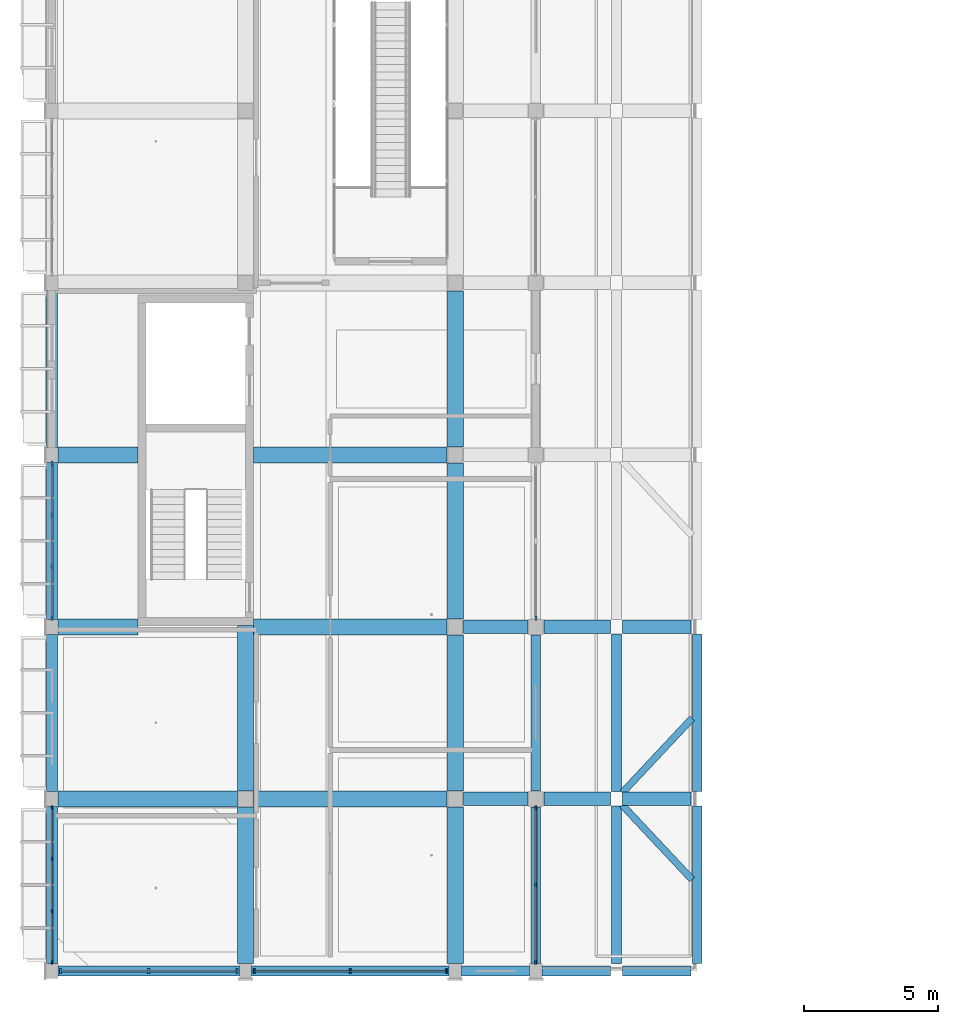
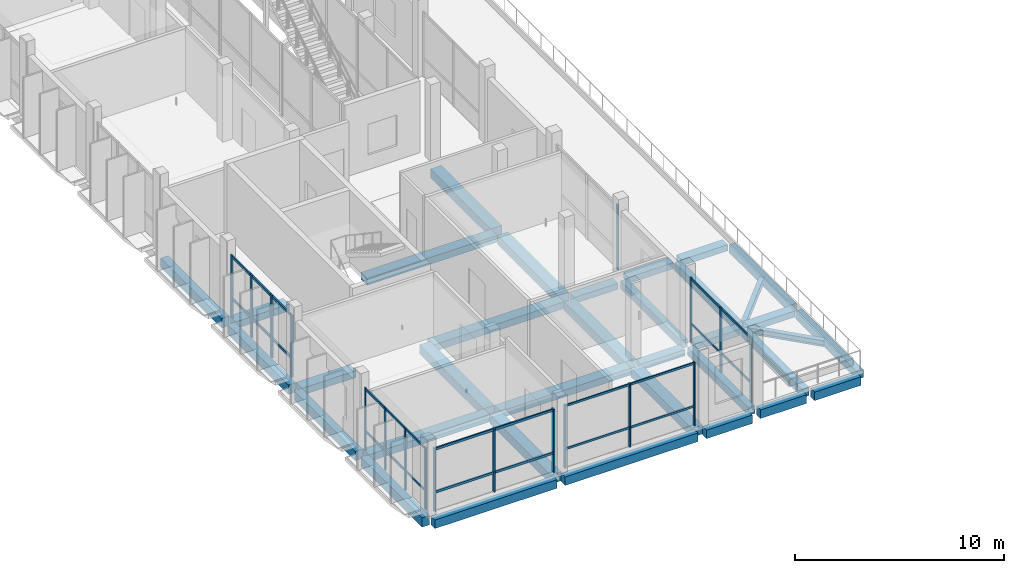
# One storey, part 18 of 95: 35 beams, 28 members, 6 elements without a shape of their own.
"""IFC4 building model written with IfcOpenShell, lengths in metres."""

import ifcopenshell
import ifcopenshell.guid

model = None  # the IFC model being written
_history = None  # IfcOwnerHistory: only IFC2X3 demands one
_inside = {}  # id of a spatial element -> (the spatial element, [elements in it])
_under = {}  # id of a project, library or spatial element -> (it, [spatial elements below it])
_declared = {}  # id of a project -> (the project, [libraries it declares])
_typed = {}  # id of a type object -> (the type object, [elements of that type])
_made_of = {}  # id of a material, layer set ... -> (it, [elements and type objects made of it])


def new_model(schema):
    """Start an empty IFC model of exactly this schema.

    Asked for "IFC4X3", IfcOpenShell would pick the latest addendum, in which some entities
    have other attributes; the version numbers below select the first issue.
    IFC2X3 requires an IfcOwnerHistory on every rooted entity: one is made here for all.
    """
    global model, _history
    if schema == "IFC4X3":
        model = ifcopenshell.file(schema_version=(4, 3, 0, 0))
    else:
        model = ifcopenshell.file(schema=schema)
    _inside.clear()
    _under.clear()
    _declared.clear()
    _typed.clear()
    _made_of.clear()
    _history = None
    if model.schema == "IFC2X3":
        org = make("IfcOrganization", Name="unknown")
        user = make(
            "IfcPersonAndOrganization",
            ThePerson=make("IfcPerson", FamilyName="unknown"),
            TheOrganization=org,
        )
        app = make(
            "IfcApplication",
            ApplicationDeveloper=org,
            Version="unknown",
            ApplicationFullName="unknown",
            ApplicationIdentifier="unknown",
        )
        _history = make(
            "IfcOwnerHistory",
            OwningUser=user,
            OwningApplication=app,
            ChangeAction="ADDED",
            CreationDate=0,
        )
    return model


def make(cls, **values):
    """One entity of the class cls with the attributes given. An attribute that is None is left unset."""
    return model.create_entity(
        cls, **{name: value for name, value in values.items() if value is not None}
    )


def rooted(cls, **values):
    """An entity with a GlobalId (a new one), such as an element, a storey or a relation."""
    return make(cls, GlobalId=ifcopenshell.guid.new(), OwnerHistory=_history, **values)


def si_unit(unit_type, name, prefix=None):
    """IfcSIUnit, for example si_unit("LENGTHUNIT", "METRE", prefix="MILLI")."""
    return make("IfcSIUnit", UnitType=unit_type, Prefix=prefix, Name=name)


def derived_unit(unit_type, elements):
    """IfcDerivedUnit: a product of units, each with its exponent."""
    return make(
        "IfcDerivedUnit",
        Elements=[
            make("IfcDerivedUnitElement", Unit=unit, Exponent=power)
            for unit, power in elements
        ],
        UnitType=unit_type,
    )


def assignment(units):
    """IfcUnitAssignment: the units of a project."""
    return None if units is None else make("IfcUnitAssignment", Units=units)


def point(xyz):
    """IfcCartesianPoint."""
    return None if xyz is None else make("IfcCartesianPoint", Coordinates=xyz)


def direction(xyz):
    """IfcDirection."""
    return None if xyz is None else make("IfcDirection", DirectionRatios=xyz)


def frame(location, z_axis=None, x_axis=None):
    """IfcAxis2Placement3D, a coordinate frame: its origin and axes. An axis left out is left unset."""
    return make(
        "IfcAxis2Placement3D",
        Location=point(location),
        Axis=direction(z_axis),
        RefDirection=direction(x_axis),
    )


def frame_2d(location, x_axis=None):
    """IfcAxis2Placement2D, a coordinate frame in the plane: its origin and x axis."""
    return make(
        "IfcAxis2Placement2D", Location=point(location), RefDirection=direction(x_axis)
    )


def origin():
    """The frame at (0, 0, 0) with its axes left unset."""
    return frame((0.0, 0.0, 0.0))


def origin_2d():
    """The frame at (0, 0) in the plane with its x axis left unset."""
    return frame_2d((0.0, 0.0))


def place(relative_to, where):
    """IfcLocalPlacement: puts the frame where relative to a parent placement (None: the world)."""
    return make(
        "IfcLocalPlacement", PlacementRelTo=relative_to, RelativePlacement=where
    )


def context(
    kind, dimensions, precision=None, world=None, true_north=None, identifier=None
):
    """IfcGeometricRepresentationContext, for example the 3D "Model" context."""
    return make(
        "IfcGeometricRepresentationContext",
        ContextIdentifier=identifier,
        ContextType=kind,
        CoordinateSpaceDimension=dimensions,
        Precision=precision,
        WorldCoordinateSystem=world,
        TrueNorth=true_north,
    )


def subcontext(parent, identifier, kind, view, scale=None):
    """IfcGeometricRepresentationSubContext, for example "Body" below "Model"."""
    return make(
        "IfcGeometricRepresentationSubContext",
        ContextIdentifier=identifier,
        ContextType=kind,
        ParentContext=parent,
        TargetScale=scale,
        TargetView=view,
    )


def project(units=None, contexts=None):
    """IfcProject with its units and contexts."""
    return rooted(
        "IfcProject",
        Name="project",
        RepresentationContexts=contexts,
        UnitsInContext=assignment(units),
    )


def spatial(cls, under=None, at=None, **own):
    """A site, building, storey or space (cls), placed at a placement, below another one or the project."""
    s = rooted(cls, ObjectPlacement=at, **own)
    if under is not None:
        _under.setdefault(under.id(), (under, []))[1].append(s)
    return s


def profile(cls, at=None, kind="AREA", **sizes):
    """A parametric profile (cls). Its sizes go by their IFC names, for example OverallWidth=200.0."""
    return make(cls, ProfileType=kind, Position=at, **sizes)


def rectangle(**sizes):
    """IfcRectangleProfileDef."""
    return profile("IfcRectangleProfileDef", **sizes)


def i_section(**sizes):
    """IfcIShapeProfileDef."""
    return profile("IfcIShapeProfileDef", **sizes)


def extrude(swept, where, along, depth):
    """IfcExtrudedAreaSolid: the profile swept, set in the frame where, extruded along a direction by depth."""
    return make(
        "IfcExtrudedAreaSolid",
        SweptArea=swept,
        Position=where,
        ExtrudedDirection=direction(along),
        Depth=depth,
    )


def shape(context_of_items, identifier, shape_type, items):
    """IfcShapeRepresentation: the items that make up one representation, for example the "Body"."""
    return make(
        "IfcShapeRepresentation",
        ContextOfItems=context_of_items,
        RepresentationIdentifier=identifier,
        RepresentationType=shape_type,
        Items=items,
    )


def material(Name=None, Category=None):
    """IfcMaterial."""
    return make("IfcMaterial", Name=Name, Category=Category)


def material_profile(
    of_material, cross_section, Name=None, Category=None, Priority=None
):
    """IfcMaterialProfile: a cross section and its material."""
    return make(
        "IfcMaterialProfile",
        Name=Name,
        Material=of_material,
        Profile=cross_section,
        Priority=Priority,
        Category=Category,
    )


def profile_set(profiles, Name=None, composite=None):
    """IfcMaterialProfileSet."""
    return make(
        "IfcMaterialProfileSet",
        Name=Name,
        MaterialProfiles=profiles,
        CompositeProfile=composite,
    )


def made_of(thing, what):
    """Note that an element or type object is made of a material, layer set ...; save() writes the relation."""
    if what is not None:
        _made_of.setdefault(what.id(), (what, []))[1].append(thing)
    return thing


def type_object(cls, material=None, **own):
    """A type object (cls), such as IfcWallType, which elements share."""
    return made_of(rooted(cls, **own), material)


def element(
    cls,
    number,
    at=None,
    inside=None,
    cuts=None,
    type_object=None,
    material=None,
    context=None,
    identifier="Body",
    shape_type=None,
    held_by="IfcProductDefinitionShape",
    body=None,
    shapes=None,
    **own,
):
    """One element of the class cls, such as IfcWall. Its Tag is "e" and its number.

    at: its placement. inside: the storey or other place that contains it. cuts: it is an
    opening in that element (IfcRelVoidsElement). A single representation is given by context,
    identifier, shape_type and body (its items); several are given by shapes. held_by: the class
    of the entity that holds the representations. save() writes the other relations.
    """
    e = rooted(cls, Tag="e%d" % number, ObjectPlacement=at, **own)
    if body is not None:
        shapes = [shape(context, identifier, shape_type, body)]
    if shapes is not None:
        e.Representation = make(held_by, Representations=shapes)
    if inside is not None:
        _inside.setdefault(inside.id(), (inside, []))[1].append(e)
    if cuts is not None:
        rooted(
            "IfcRelVoidsElement", RelatingBuildingElement=cuts, RelatedOpeningElement=e
        )
    if type_object is not None:
        _typed.setdefault(type_object.id(), (type_object, []))[1].append(e)
    return made_of(e, material)


def aggregate(whole, parts):
    """IfcRelAggregates: a whole, such as a stair, and the parts it consists of."""
    return rooted("IfcRelAggregates", RelatingObject=whole, RelatedObjects=parts)


def save(model, path):
    """Write the relations noted so far, then the file.

    IfcRelAggregates (storeys below a building ...), IfcRelContainedInSpatialStructure (elements
    in a storey), IfcRelDefinesByType, IfcRelAssociatesMaterial and IfcRelDeclares: one each for
    every whole, place, type object, material and project.
    """
    for whole, parts in _under.values():
        aggregate(whole, parts)
    for where, things in _inside.values():
        rooted(
            "IfcRelContainedInSpatialStructure",
            RelatedElements=things,
            RelatingStructure=where,
        )
    for kind, things in _typed.values():
        rooted("IfcRelDefinesByType", RelatedObjects=things, RelatingType=kind)
    for what, things in _made_of.values():
        rooted("IfcRelAssociatesMaterial", RelatedObjects=things, RelatingMaterial=what)
    for by, libraries in _declared.values():
        rooted("IfcRelDeclares", RelatingContext=by, RelatedDefinitions=libraries)
    model.write(path)


model = new_model("IFC4")

# Units and contexts
model_context = context("Model", 3, precision=1e-05, world=origin(), true_north=direction((0.0, 1.0)))
body_context = subcontext(model_context, "Body", "Model", "MODEL_VIEW")
ifc_project = project(units=[si_unit("LENGTHUNIT", "METRE"), si_unit("AREAUNIT", "SQUARE_METRE"), si_unit("VOLUMEUNIT", "CUBIC_METRE"), si_unit("PLANEANGLEUNIT", "RADIAN"), si_unit("MASSUNIT", "GRAM", prefix="KILO"), derived_unit("THERMALTRANSMITTANCEUNIT", [(si_unit("POWERUNIT", "WATT"), 1), (si_unit("LENGTHUNIT", "METRE"), -2), (si_unit("THERMODYNAMICTEMPERATUREUNIT", "KELVIN"), -1)])], contexts=[model_context])

# Site, building, storey
site_placement = place(None, origin())
site = spatial("IfcSite", under=ifc_project, at=site_placement, CompositionType="ELEMENT")
building_placement = place(site_placement, origin())
building = spatial("IfcBuilding", under=site, at=building_placement, Name="Braskholm Square Health Centre", CompositionType="ELEMENT")
storey_placement = place(building_placement, frame((0.0, 0.0, 4.800048828125)))
storey = spatial("IfcBuildingStorey", under=building, at=storey_placement, Name="L02", CompositionType="ELEMENT", Elevation=4.800048828125)

# Curtain wall, members
ifc_material_1 = material(Name="Low-E triple insulating glass (VLT 0.64)", Category="glass")
curtain_wall_type_1 = type_object("IfcCurtainWallType", Name="UnitisedCurtainWall6200x3650", PredefinedType="NOTDEFINED", material=ifc_material_1)
curtain_wall_1_placement = place(storey_placement, origin())
curtain_wall_1 = element("IfcCurtainWall", 1, at=curtain_wall_1_placement, inside=storey, type_object=curtain_wall_type_1, Name="West Outer unitised curtain wall CW-L02-0006", PredefinedType="NOTDEFINED")
ifc_material_2 = material(Name="Architectural bronze anodised aluminium", Category="aluminium")
ifc_material_profile_1 = material_profile(ifc_material_2, rectangle(XDim=0.06494140625, YDim=0.14990234375, at=origin_2d()), Name="ALU-65X150")
ifc_profile_set_1 = profile_set([ifc_material_profile_1], Name="Architectural bronze anodised aluminium")
member_type_1 = type_object("IfcMemberType", Name="CurtainWallMullion65x150", PredefinedType="MULLION", material=ifc_profile_set_1)
member_1_placement = place(storey_placement, frame((4.199951171875, 10.275146484375, 0.0), z_axis=(0.0, 0.0, 1.0), x_axis=(1.0, 0.0, 0.0)))
member_1 = element("IfcMember", 2, at=member_1_placement, type_object=member_type_1, Name="CW-L02-0006 vertical mullion 1", PredefinedType="MULLION", context=body_context, shape_type="SweptSolid", body=[
    extrude(rectangle(XDim=0.06494140625, YDim=0.14990234375, at=origin_2d()), origin(), (0.0, 0.0, 1.0), 3.64990234375),
])
member_2_placement = place(storey_placement, frame((4.199951171875, 8.3701171875, 0.0), z_axis=(0.0, 0.0, 1.0), x_axis=(1.0, 0.0, 0.0)))
member_2 = element("IfcMember", 3, at=member_2_placement, type_object=member_type_1, Name="CW-L02-0006 vertical mullion 2", PredefinedType="MULLION", context=body_context, shape_type="SweptSolid", body=[
    extrude(rectangle(XDim=0.06494140625, YDim=0.14990234375, at=origin_2d()), origin(), (0.0, 0.0, 1.0), 3.64990234375),
])
member_3_placement = place(storey_placement, frame((4.199951171875, 6.429931640625, 0.0), z_axis=(0.0, 0.0, 1.0), x_axis=(1.0, 0.0, 0.0)))
member_3 = element("IfcMember", 4, at=member_3_placement, type_object=member_type_1, Name="CW-L02-0006 vertical mullion 3", PredefinedType="MULLION", context=body_context, shape_type="SweptSolid", body=[
    extrude(rectangle(XDim=0.06494140625, YDim=0.14990234375, at=origin_2d()), origin(), (0.0, 0.0, 1.0), 3.64990234375),
])
member_4_placement = place(storey_placement, frame((4.199951171875, 4.52490234375, 0.0), z_axis=(0.0, 0.0, 1.0), x_axis=(1.0, 0.0, 0.0)))
member_4 = element("IfcMember", 5, at=member_4_placement, type_object=member_type_1, Name="CW-L02-0006 vertical mullion 4", PredefinedType="MULLION", context=body_context, shape_type="SweptSolid", body=[
    extrude(rectangle(XDim=0.06494140625, YDim=0.14990234375, at=origin_2d()), origin(), (0.0, 0.0, 1.0), 3.64990234375),
])

curtain_wall_type_2 = type_object("IfcCurtainWallType", Name="UnitisedCurtainWall6200x3800", PredefinedType="NOTDEFINED", material=ifc_material_1)
curtain_wall_2_placement = place(storey_placement, origin())
curtain_wall_2 = element("IfcCurtainWall", 6, at=curtain_wall_2_placement, inside=storey, type_object=curtain_wall_type_2, Name="West Valley unitised curtain wall CW-L02-0084", PredefinedType="NOTDEFINED")
member_5_placement = place(storey_placement, frame((22.199951171875, 4.52490234375, 0.0), z_axis=(0.0, 0.0, 1.0), x_axis=(1.0, 0.0, 0.0)))
member_5 = element("IfcMember", 7, at=member_5_placement, type_object=member_type_1, Name="CW-L02-0084 vertical mullion 1", PredefinedType="MULLION", context=body_context, shape_type="SweptSolid", body=[
    extrude(rectangle(XDim=0.06494140625, YDim=0.14990234375, at=origin_2d()), origin(), (0.0, 0.0, 1.0), 3.7900390625),
])
member_6_placement = place(storey_placement, frame((22.199951171875, 7.402587890625, 0.0), z_axis=(0.0, 0.0, 1.0), x_axis=(1.0, 0.0, 0.0)))
member_6 = element("IfcMember", 8, at=member_6_placement, type_object=member_type_1, Name="CW-L02-0084 vertical mullion 2", PredefinedType="MULLION", context=body_context, shape_type="SweptSolid", body=[
    extrude(rectangle(XDim=0.06494140625, YDim=0.14990234375, at=origin_2d()), origin(), (0.0, 0.0, 1.0), 3.7900390625),
])
member_7_placement = place(storey_placement, frame((22.199951171875, 10.280029296875, 0.0), z_axis=(0.0, 0.0, 1.0), x_axis=(1.0, 0.0, 0.0)))
member_7 = element("IfcMember", 9, at=member_7_placement, type_object=member_type_1, Name="CW-L02-0084 vertical mullion 3", PredefinedType="MULLION", context=body_context, shape_type="SweptSolid", body=[
    extrude(rectangle(XDim=0.06494140625, YDim=0.14990234375, at=origin_2d()), origin(), (0.0, 0.0, 1.0), 3.7900390625),
])

curtain_wall_3_placement = place(storey_placement, origin())
curtain_wall_3 = element("IfcCurtainWall", 10, at=curtain_wall_3_placement, inside=storey, type_object=curtain_wall_type_1, Name="Wing End unitised curtain wall CW-L02-0146", PredefinedType="NOTDEFINED")
member_8_placement = place(storey_placement, frame((11.723388671875, 4.199951171875, 0.0), z_axis=(0.0, 0.0, 1.0), x_axis=(1.0, 0.0, 0.0)))
member_8 = element("IfcMember", 11, at=member_8_placement, type_object=member_type_1, Name="CW-L02-0146 vertical mullion 1", PredefinedType="MULLION", context=body_context, shape_type="SweptSolid", body=[
    extrude(rectangle(XDim=0.06494140625, YDim=0.14990234375, at=origin_2d()), origin(), (0.0, 0.0, 1.0), 3.699951171875),
])
member_9_placement = place(storey_placement, frame((15.300048828125, 4.199951171875, 0.0), z_axis=(0.0, 0.0, 1.0), x_axis=(1.0, 0.0, 0.0)))
member_9 = element("IfcMember", 12, at=member_9_placement, type_object=member_type_1, Name="CW-L02-0146 vertical mullion 2", PredefinedType="MULLION", context=body_context, shape_type="SweptSolid", body=[
    extrude(rectangle(XDim=0.06494140625, YDim=0.14990234375, at=origin_2d()), origin(), (0.0, 0.0, 1.0), 3.699951171875),
])
member_10_placement = place(storey_placement, frame((18.876708984375, 4.199951171875, 0.0), z_axis=(0.0, 0.0, 1.0), x_axis=(1.0, 0.0, 0.0)))
member_10 = element("IfcMember", 13, at=member_10_placement, type_object=member_type_1, Name="CW-L02-0146 vertical mullion 3", PredefinedType="MULLION", context=body_context, shape_type="SweptSolid", body=[
    extrude(rectangle(XDim=0.06494140625, YDim=0.14990234375, at=origin_2d()), origin(), (0.0, 0.0, 1.0), 3.699951171875),
])

curtain_wall_4_placement = place(storey_placement, origin())
curtain_wall_4 = element("IfcCurtainWall", 14, at=curtain_wall_4_placement, inside=storey, type_object=curtain_wall_type_1, Name="West Outer unitised curtain wall CW-L02-0007", PredefinedType="NOTDEFINED")
ifc_material_profile_2 = material_profile(ifc_material_2, rectangle(XDim=0.074951171875, YDim=0.179931640625, at=origin_2d()), Name="ALU-75X180")
ifc_profile_set_2 = profile_set([ifc_material_profile_2], Name="Architectural bronze anodised aluminium")
member_type_2 = type_object("IfcMemberType", Name="CurtainWallMullion75x180", PredefinedType="MULLION", material=ifc_profile_set_2)
member_11_placement = place(storey_placement, frame((4.199951171875, 23.0751953125, 0.0), z_axis=(0.0, 0.0, 1.0), x_axis=(1.0, 0.0, 0.0)))
member_11 = element("IfcMember", 15, at=member_11_placement, type_object=member_type_2, Name="CW-L02-0007 vertical mullion 1", PredefinedType="MULLION", context=body_context, shape_type="SweptSolid", body=[
    extrude(rectangle(XDim=0.074951171875, YDim=0.179931640625, at=origin_2d()), origin(), (0.0, 0.0, 1.0), 3.64990234375),
])
member_12_placement = place(storey_placement, frame((4.199951171875, 21.169921875, 0.0), z_axis=(0.0, 0.0, 1.0), x_axis=(1.0, 0.0, 0.0)))
member_12 = element("IfcMember", 16, at=member_12_placement, type_object=member_type_2, Name="CW-L02-0007 vertical mullion 2", PredefinedType="MULLION", context=body_context, shape_type="SweptSolid", body=[
    extrude(rectangle(XDim=0.074951171875, YDim=0.179931640625, at=origin_2d()), origin(), (0.0, 0.0, 1.0), 3.64990234375),
])
member_13_placement = place(storey_placement, frame((4.199951171875, 19.22998046875, 0.0), z_axis=(0.0, 0.0, 1.0), x_axis=(1.0, 0.0, 0.0)))
member_13 = element("IfcMember", 17, at=member_13_placement, type_object=member_type_2, Name="CW-L02-0007 vertical mullion 3", PredefinedType="MULLION", context=body_context, shape_type="SweptSolid", body=[
    extrude(rectangle(XDim=0.074951171875, YDim=0.179931640625, at=origin_2d()), origin(), (0.0, 0.0, 1.0), 3.64990234375),
])
member_14_placement = place(storey_placement, frame((4.199951171875, 17.324951171875, 0.0), z_axis=(0.0, 0.0, 1.0), x_axis=(1.0, 0.0, 0.0)))
member_14 = element("IfcMember", 18, at=member_14_placement, type_object=member_type_2, Name="CW-L02-0007 vertical mullion 4", PredefinedType="MULLION", context=body_context, shape_type="SweptSolid", body=[
    extrude(rectangle(XDim=0.074951171875, YDim=0.179931640625, at=origin_2d()), origin(), (0.0, 0.0, 1.0), 3.64990234375),
])

# Curtain wall, member
curtain_wall_5_placement = place(storey_placement, origin())
curtain_wall_5 = element("IfcCurtainWall", 19, at=curtain_wall_5_placement, inside=storey, type_object=curtain_wall_type_2, Name="West Valley unitised curtain wall CW-L02-0085", PredefinedType="NOTDEFINED")
member_15_placement = place(storey_placement, frame((22.199951171875, 17.320068359375, 0.0), z_axis=(0.0, 0.0, 1.0), x_axis=(1.0, 0.0, 0.0)))
member_15 = element("IfcMember", 20, at=member_15_placement, type_object=member_type_2, Name="CW-L02-0085 vertical mullion 1", PredefinedType="MULLION", context=body_context, shape_type="SweptSolid", body=[
    extrude(rectangle(XDim=0.074951171875, YDim=0.179931640625, at=origin_2d()), origin(), (0.0, 0.0, 1.0), 3.7900390625),
])
aggregate(curtain_wall_5, [member_15])

# Curtain wall, members
curtain_wall_6_placement = place(storey_placement, origin())
curtain_wall_6 = element("IfcCurtainWall", 21, at=curtain_wall_6_placement, inside=storey, type_object=curtain_wall_type_1, Name="Wing End unitised curtain wall CW-L02-0145", PredefinedType="NOTDEFINED")
member_16_placement = place(storey_placement, frame((4.519775390625, 4.199951171875, 0.0), z_axis=(0.0, 0.0, 1.0), x_axis=(1.0, 0.0, 0.0)))
member_16 = element("IfcMember", 22, at=member_16_placement, type_object=member_type_2, Name="CW-L02-0145 vertical mullion 1", PredefinedType="MULLION", context=body_context, shape_type="SweptSolid", body=[
    extrude(rectangle(XDim=0.074951171875, YDim=0.179931640625, at=origin_2d()), origin(), (0.0, 0.0, 1.0), 3.699951171875),
])
member_17_placement = place(storey_placement, frame((7.800048828125, 4.199951171875, 0.0), z_axis=(0.0, 0.0, 1.0), x_axis=(1.0, 0.0, 0.0)))
member_17 = element("IfcMember", 23, at=member_17_placement, type_object=member_type_2, Name="CW-L02-0145 vertical mullion 2", PredefinedType="MULLION", context=body_context, shape_type="SweptSolid", body=[
    extrude(rectangle(XDim=0.074951171875, YDim=0.179931640625, at=origin_2d()), origin(), (0.0, 0.0, 1.0), 3.699951171875),
])
member_18_placement = place(storey_placement, frame((11.080078125, 4.199951171875, 0.0), z_axis=(0.0, 0.0, 1.0), x_axis=(1.0, 0.0, 0.0)))
member_18 = element("IfcMember", 24, at=member_18_placement, type_object=member_type_2, Name="CW-L02-0145 vertical mullion 3", PredefinedType="MULLION", context=body_context, shape_type="SweptSolid", body=[
    extrude(rectangle(XDim=0.074951171875, YDim=0.179931640625, at=origin_2d()), origin(), (0.0, 0.0, 1.0), 3.699951171875),
])

# Member
ifc_material_profile_3 = material_profile(ifc_material_2, rectangle(XDim=0.06494140625, YDim=0.1201171875, at=origin_2d()), Name="ALU-65X120")
ifc_profile_set_3 = profile_set([ifc_material_profile_3], Name="Architectural bronze anodised aluminium")
member_type_3 = type_object("IfcMemberType", Name="CurtainWallTransom65x120", PredefinedType="USERDEFINED", material=ifc_profile_set_3)
member_19_placement = place(storey_placement, frame((4.199951171875, 10.264892578125, 1.119873046875), z_axis=(0.0, -1.0, 0.0), x_axis=(1.0, 0.0, 0.0)))
member_19 = element("IfcMember", 25, at=member_19_placement, type_object=member_type_3, Name="CW-L02-0006 horizontal transom 1", ObjectType="TRANSOM", PredefinedType="USERDEFINED", context=body_context, shape_type="SweptSolid", body=[
    extrude(rectangle(XDim=0.06494140625, YDim=0.1201171875, at=origin_2d()), origin(), (0.0, 0.0, 1.0), 5.72998046875),
])

member_20_placement = place(storey_placement, frame((4.199951171875, 10.264892578125, 3.579833984375), z_axis=(0.0, -1.0, 0.0), x_axis=(1.0, 0.0, 0.0)))
member_20 = element("IfcMember", 26, at=member_20_placement, type_object=member_type_3, Name="CW-L02-0006 horizontal transom 2", ObjectType="TRANSOM", PredefinedType="USERDEFINED", context=body_context, shape_type="SweptSolid", body=[
    extrude(rectangle(XDim=0.06494140625, YDim=0.1201171875, at=origin_2d()), origin(), (0.0, 0.0, 1.0), 5.72998046875),
])

aggregate(curtain_wall_1, [member_1, member_2, member_3, member_4, member_19, member_20])

member_21_placement = place(storey_placement, frame((22.199951171875, 4.534912109375, 1.119873046875), z_axis=(0.0, 1.0, 0.0), x_axis=(-1.0, 0.0, 0.0)))
member_21 = element("IfcMember", 27, at=member_21_placement, type_object=member_type_3, Name="CW-L02-0084 horizontal transom 1", ObjectType="TRANSOM", PredefinedType="USERDEFINED", context=body_context, shape_type="SweptSolid", body=[
    extrude(rectangle(XDim=0.06494140625, YDim=0.1201171875, at=origin_2d()), origin(), (0.0, 0.0, 1.0), 5.735107421875),
])

member_22_placement = place(storey_placement, frame((22.199951171875, 4.534912109375, 3.719970703125), z_axis=(0.0, 1.0, 0.0), x_axis=(-1.0, 0.0, 0.0)))
member_22 = element("IfcMember", 28, at=member_22_placement, type_object=member_type_3, Name="CW-L02-0084 horizontal transom 2", ObjectType="TRANSOM", PredefinedType="USERDEFINED", context=body_context, shape_type="SweptSolid", body=[
    extrude(rectangle(XDim=0.06494140625, YDim=0.1201171875, at=origin_2d()), origin(), (0.0, 0.0, 1.0), 5.735107421875),
])

aggregate(curtain_wall_2, [member_5, member_6, member_7, member_21, member_22])

member_23_placement = place(storey_placement, frame((11.72509765625, 4.199951171875, 1.119873046875), z_axis=(1.0, 0.0, 0.0), x_axis=(0.0, 1.0, 0.0)))
member_23 = element("IfcMember", 29, at=member_23_placement, type_object=member_type_3, Name="CW-L02-0146 horizontal transom 1", ObjectType="TRANSOM", PredefinedType="USERDEFINED", context=body_context, shape_type="SweptSolid", body=[
    extrude(rectangle(XDim=0.06494140625, YDim=0.1201171875, at=origin_2d()), origin(), (0.0, 0.0, 1.0), 7.14990234375),
])

member_24_placement = place(storey_placement, frame((11.72509765625, 4.199951171875, 3.6298828125), z_axis=(1.0, 0.0, 0.0), x_axis=(0.0, 1.0, 0.0)))
member_24 = element("IfcMember", 30, at=member_24_placement, type_object=member_type_3, Name="CW-L02-0146 horizontal transom 2", ObjectType="TRANSOM", PredefinedType="USERDEFINED", context=body_context, shape_type="SweptSolid", body=[
    extrude(rectangle(XDim=0.06494140625, YDim=0.1201171875, at=origin_2d()), origin(), (0.0, 0.0, 1.0), 7.14990234375),
])

aggregate(curtain_wall_3, [member_8, member_9, member_10, member_23, member_24])

ifc_material_profile_4 = material_profile(ifc_material_2, rectangle(XDim=0.074951171875, YDim=0.139892578125, at=origin_2d()), Name="ALU-75X140")
ifc_profile_set_4 = profile_set([ifc_material_profile_4], Name="Architectural bronze anodised aluminium")
member_type_4 = type_object("IfcMemberType", Name="CurtainWallTransom75x140", PredefinedType="USERDEFINED", material=ifc_profile_set_4)
member_25_placement = place(storey_placement, frame((4.199951171875, 23.06494140625, 1.119873046875), z_axis=(0.0, -1.0, 0.0), x_axis=(1.0, 0.0, 0.0)))
member_25 = element("IfcMember", 31, at=member_25_placement, type_object=member_type_4, Name="CW-L02-0007 horizontal transom 1", ObjectType="TRANSOM", PredefinedType="USERDEFINED", context=body_context, shape_type="SweptSolid", body=[
    extrude(rectangle(XDim=0.074951171875, YDim=0.139892578125, at=origin_2d()), origin(), (0.0, 0.0, 1.0), 5.72998046875),
])

member_26_placement = place(storey_placement, frame((4.199951171875, 23.06494140625, 3.579833984375), z_axis=(0.0, -1.0, 0.0), x_axis=(1.0, 0.0, 0.0)))
member_26 = element("IfcMember", 32, at=member_26_placement, type_object=member_type_4, Name="CW-L02-0007 horizontal transom 2", ObjectType="TRANSOM", PredefinedType="USERDEFINED", context=body_context, shape_type="SweptSolid", body=[
    extrude(rectangle(XDim=0.074951171875, YDim=0.139892578125, at=origin_2d()), origin(), (0.0, 0.0, 1.0), 5.72998046875),
])

aggregate(curtain_wall_4, [member_11, member_12, member_13, member_14, member_25, member_26])

member_27_placement = place(storey_placement, frame((4.52490234375, 4.199951171875, 1.119873046875), z_axis=(1.0, 0.0, 0.0), x_axis=(0.0, 1.0, 0.0)))
member_27 = element("IfcMember", 33, at=member_27_placement, type_object=member_type_4, Name="CW-L02-0145 horizontal transom 1", ObjectType="TRANSOM", PredefinedType="USERDEFINED", context=body_context, shape_type="SweptSolid", body=[
    extrude(rectangle(XDim=0.074951171875, YDim=0.139892578125, at=origin_2d()), origin(), (0.0, 0.0, 1.0), 6.550048828125),
])

member_28_placement = place(storey_placement, frame((4.52490234375, 4.199951171875, 3.6298828125), z_axis=(1.0, 0.0, 0.0), x_axis=(0.0, 1.0, 0.0)))
member_28 = element("IfcMember", 34, at=member_28_placement, type_object=member_type_4, Name="CW-L02-0145 horizontal transom 2", ObjectType="TRANSOM", PredefinedType="USERDEFINED", context=body_context, shape_type="SweptSolid", body=[
    extrude(rectangle(XDim=0.074951171875, YDim=0.139892578125, at=origin_2d()), origin(), (0.0, 0.0, 1.0), 6.550048828125),
])

aggregate(curtain_wall_6, [member_16, member_17, member_18, member_27, member_28])

# Beams
ifc_material_3 = material(Name="Concrete C35/45 (f'c = 35 MPa)", Category="concrete")
ifc_material_profile_5 = material_profile(ifc_material_3, rectangle(XDim=0.5, YDim=0.360107421875, at=origin_2d()), Name="RCB-500X360")
ifc_profile_set_5 = profile_set([ifc_material_profile_5], Name="Concrete C35/45 (f'c = 35 MPa)")
beam_type_1 = type_object("IfcBeamType", Name="PrimaryBandBeam500x360", PredefinedType="BEAM", material=ifc_profile_set_5)
beam_1_placement = place(storey_placement, frame((19.5, 10.60009765625, -0.56005859375), z_axis=(1.0, 0.0, 0.0), x_axis=(0.0, 1.0, 0.0)))
element("IfcBeam", 35, at=beam_1_placement, inside=storey, type_object=beam_type_1, Name="Beam 3-4/B L02", PredefinedType="BEAM", context=body_context, shape_type="SweptSolid", body=[
    extrude(rectangle(XDim=0.5, YDim=0.360107421875, at=origin_2d()), origin(), (0.0, 0.0, 1.0), 2.39990234375),
])
beam_2_placement = place(storey_placement, frame((22.5, 10.60009765625, -0.429931640625), z_axis=(1.0, 0.0, 0.0), x_axis=(0.0, 1.0, 0.0)))
element("IfcBeam", 36, at=beam_2_placement, inside=storey, type_object=beam_type_1, Name="Beam 4-5/B L02", PredefinedType="BEAM", context=body_context, shape_type="SweptSolid", body=[
    extrude(rectangle(XDim=0.5, YDim=0.360107421875, at=origin_2d()), origin(), (0.0, 0.0, 1.0), 2.47998046875),
])
beam_3_placement = place(storey_placement, frame((25.419921875, 10.60009765625, -0.429931640625), z_axis=(1.0, 0.0, 0.0), x_axis=(0.0, 1.0, 0.0)))
element("IfcBeam", 37, at=beam_3_placement, inside=storey, type_object=beam_type_1, Name="Beam 5-6/B L02", PredefinedType="BEAM", context=body_context, shape_type="SweptSolid", body=[
    extrude(rectangle(XDim=0.5, YDim=0.360107421875, at=origin_2d()), origin(), (0.0, 0.0, 1.0), 2.56005859375),
])
beam_4_placement = place(storey_placement, frame((19.5, 17.0, -0.56005859375), z_axis=(1.0, 0.0, 0.0), x_axis=(0.0, 1.0, 0.0)))
element("IfcBeam", 38, at=beam_4_placement, inside=storey, type_object=beam_type_1, Name="Beam 3-4/C L02", PredefinedType="BEAM", context=body_context, shape_type="SweptSolid", body=[
    extrude(rectangle(XDim=0.5, YDim=0.360107421875, at=origin_2d()), origin(), (0.0, 0.0, 1.0), 2.39990234375),
])
beam_5_placement = place(storey_placement, frame((22.5, 17.0, -0.429931640625), z_axis=(1.0, 0.0, 0.0), x_axis=(0.0, 1.0, 0.0)))
element("IfcBeam", 39, at=beam_5_placement, inside=storey, type_object=beam_type_1, Name="Beam 4-5/C L02", PredefinedType="BEAM", context=body_context, shape_type="SweptSolid", body=[
    extrude(rectangle(XDim=0.5, YDim=0.360107421875, at=origin_2d()), origin(), (0.0, 0.0, 1.0), 2.47998046875),
])
beam_6_placement = place(storey_placement, frame((25.419921875, 17.0, -0.429931640625), z_axis=(1.0, 0.0, 0.0), x_axis=(0.0, 1.0, 0.0)))
element("IfcBeam", 40, at=beam_6_placement, inside=storey, type_object=beam_type_1, Name="Beam 5-6/C L02", PredefinedType="BEAM", context=body_context, shape_type="SweptSolid", body=[
    extrude(rectangle(XDim=0.5, YDim=0.360107421875, at=origin_2d()), origin(), (0.0, 0.0, 1.0), 2.56005859375),
])
ifc_material_profile_6 = material_profile(ifc_material_3, rectangle(XDim=0.60009765625, YDim=0.39990234375, at=origin_2d()), Name="RCB-600X400")
ifc_profile_set_6 = profile_set([ifc_material_profile_6], Name="Concrete C35/45 (f'c = 35 MPa)")
beam_type_2 = type_object("IfcBeamType", Name="PrimaryBandBeam600x400", PredefinedType="BEAM", material=ifc_profile_set_6)
beam_7_placement = place(storey_placement, frame((4.429931640625, 10.60009765625, -0.580078125), z_axis=(1.0, 0.0, 0.0), x_axis=(0.0, 1.0, 0.0)))
element("IfcBeam", 41, at=beam_7_placement, inside=storey, type_object=beam_type_2, Name="Beam 1-2/B L02", PredefinedType="BEAM", context=body_context, shape_type="SweptSolid", body=[
    extrude(rectangle(XDim=0.60009765625, YDim=0.39990234375, at=origin_2d()), origin(), (0.0, 0.0, 1.0), 6.670166015625),
])
beam_8_placement = place(storey_placement, frame((11.699951171875, 10.60009765625, -0.580078125), z_axis=(1.0, 0.0, 0.0), x_axis=(0.0, 1.0, 0.0)))
element("IfcBeam", 42, at=beam_8_placement, inside=storey, type_object=beam_type_2, Name="Beam 2-3/B L02", PredefinedType="BEAM", context=body_context, shape_type="SweptSolid", body=[
    extrude(rectangle(XDim=0.60009765625, YDim=0.39990234375, at=origin_2d()), origin(), (0.0, 0.0, 1.0), 7.199951171875),
])
beam_9_placement = place(storey_placement, frame((4.429931640625, 17.0, -0.580078125), z_axis=(1.0, 0.0, 0.0), x_axis=(0.0, 1.0, 0.0)))
element("IfcBeam", 43, at=beam_9_placement, inside=storey, type_object=beam_type_2, Name="Beam 1-3/C L02", PredefinedType="BEAM", context=body_context, shape_type="SweptSolid", body=[
    extrude(rectangle(XDim=0.60009765625, YDim=0.39990234375, at=origin_2d()), origin(), (0.0, 0.0, 1.0), 2.969970703125),
])
beam_10_placement = place(storey_placement, frame((11.699951171875, 17.0, -0.580078125), z_axis=(1.0, 0.0, 0.0), x_axis=(0.0, 1.0, 0.0)))
element("IfcBeam", 44, at=beam_10_placement, inside=storey, type_object=beam_type_2, Name="Beam 1-3/C L02", PredefinedType="BEAM", context=body_context, shape_type="SweptSolid", body=[
    extrude(rectangle(XDim=0.60009765625, YDim=0.39990234375, at=origin_2d()), origin(), (0.0, 0.0, 1.0), 7.199951171875),
])
beam_11_placement = place(storey_placement, frame((4.429931640625, 23.39990234375, -0.580078125), z_axis=(1.0, 0.0, 0.0), x_axis=(0.0, 1.0, 0.0)))
element("IfcBeam", 45, at=beam_11_placement, inside=storey, type_object=beam_type_2, Name="Beam 1-3/D L02", PredefinedType="BEAM", context=body_context, shape_type="SweptSolid", body=[
    extrude(rectangle(XDim=0.60009765625, YDim=0.39990234375, at=origin_2d()), origin(), (0.0, 0.0, 1.0), 2.969970703125),
])
beam_12_placement = place(storey_placement, frame((11.699951171875, 23.39990234375, -0.580078125), z_axis=(1.0, 0.0, 0.0), x_axis=(0.0, 1.0, 0.0)))
element("IfcBeam", 46, at=beam_12_placement, inside=storey, type_object=beam_type_2, Name="Beam 1-3/D L02", PredefinedType="BEAM", context=body_context, shape_type="SweptSolid", body=[
    extrude(rectangle(XDim=0.60009765625, YDim=0.39990234375, at=origin_2d()), origin(), (0.0, 0.0, 1.0), 7.199951171875),
])
ifc_material_4 = material(Name="Concrete C40/50 (f'c = 40 MPa)", Category="concrete")
ifc_material_profile_7 = material_profile(ifc_material_4, rectangle(XDim=0.60009765625, YDim=0.52001953125, at=origin_2d()), Name="RCB-600X520")
ifc_profile_set_7 = profile_set([ifc_material_profile_7], Name="Concrete C40/50 (f'c = 40 MPa)")
beam_type_3 = type_object("IfcBeamType", Name="PrimaryGirderSurgery600x520", PredefinedType="BEAM", material=ifc_profile_set_7)
beam_13_placement = place(storey_placement, frame((11.39990234375, 4.47998046875, -0.64013671875), z_axis=(0.0, 1.0, 0.0), x_axis=(-1.0, 0.0, 0.0)))
element("IfcBeam", 47, at=beam_13_placement, inside=storey, type_object=beam_type_3, Name="Beam 2/A-B L02", PredefinedType="BEAM", context=body_context, shape_type="SweptSolid", body=[
    extrude(rectangle(XDim=0.60009765625, YDim=0.52001953125, at=origin_2d()), origin(), (0.0, 0.0, 1.0), 5.820068359375),
])
beam_14_placement = place(storey_placement, frame((11.39990234375, 10.89990234375, -0.64013671875), z_axis=(0.0, 1.0, 0.0), x_axis=(-1.0, 0.0, 0.0)))
element("IfcBeam", 48, at=beam_14_placement, inside=storey, type_object=beam_type_3, Name="Beam 2/B-E L02", PredefinedType="BEAM", context=body_context, shape_type="SweptSolid", body=[
    extrude(rectangle(XDim=0.60009765625, YDim=0.52001953125, at=origin_2d()), origin(), (0.0, 0.0, 1.0), 6.150146484375),
])
beam_15_placement = place(storey_placement, frame((19.199951171875, 4.47998046875, -0.64013671875), z_axis=(0.0, 1.0, 0.0), x_axis=(-1.0, 0.0, 0.0)))
element("IfcBeam", 49, at=beam_15_placement, inside=storey, type_object=beam_type_3, Name="Beam 3/A-B L02", PredefinedType="BEAM", context=body_context, shape_type="SweptSolid", body=[
    extrude(rectangle(XDim=0.60009765625, YDim=0.52001953125, at=origin_2d()), origin(), (0.0, 0.0, 1.0), 5.820068359375),
])
for number, where, z_axis, x_axis, name in (
    (50, (19.199951171875, 10.89990234375, -0.64013671875), (0.0, 1.0, 0.0), (-1.0, 0.0, 0.0), "Beam 3/B-C L02"),
    (51, (19.199951171875, 17.300048828125, -0.64013671875), (0.0, 1.0, 0.0), (-1.0, 0.0, 0.0), "Beam 3/C-D L02"),
    (52, (19.199951171875, 23.699951171875, -0.64013671875), (0.0, 1.0, 0.0), (-1.0, 0.0, 0.0), "Beam 3/D-E L02"),
):
    element("IfcBeam", number, at=place(storey_placement, frame(where, z_axis=z_axis, x_axis=x_axis)), inside=storey, type_object=beam_type_3, Name=name, PredefinedType="BEAM", context=body_context, shape_type="SweptSolid", body=[
        extrude(rectangle(XDim=0.60009765625, YDim=0.52001953125, at=origin_2d()), origin(), (0.0, 0.0, 1.0), 5.800048828125),
    ])
ifc_material_5 = material(Name="Precast concrete C40/50 architectural white", Category="concrete")
ifc_material_profile_8 = material_profile(ifc_material_5, rectangle(XDim=0.3798828125, YDim=0.5, at=origin_2d()), Name="RCB-380X500")
ifc_profile_set_8 = profile_set([ifc_material_profile_8], Name="Precast concrete C40/50 architectural white")
beam_type_4 = type_object("IfcBeamType", Name="SpandrelPrecastEdge380x500", PredefinedType="SPANDREL", material=ifc_profile_set_8)
beam_16_placement = place(storey_placement, frame((4.429931640625, 4.199951171875, -0.630126953125), z_axis=(1.0, 0.0, 0.0), x_axis=(0.0, 1.0, 0.0)))
element("IfcBeam", 53, at=beam_16_placement, inside=storey, type_object=beam_type_4, Name="Beam 1-2/A L02", PredefinedType="SPANDREL", context=body_context, shape_type="SweptSolid", body=[
    extrude(rectangle(XDim=0.3798828125, YDim=0.5, at=origin_2d()), origin(), (0.0, 0.0, 1.0), 6.739990234375),
])
beam_17_placement = place(storey_placement, frame((11.6298828125, 4.199951171875, -0.630126953125), z_axis=(1.0, 0.0, 0.0), x_axis=(0.0, 1.0, 0.0)))
element("IfcBeam", 54, at=beam_17_placement, inside=storey, type_object=beam_type_4, Name="Beam 2-3/A L02", PredefinedType="SPANDREL", context=body_context, shape_type="SweptSolid", body=[
    extrude(rectangle(XDim=0.3798828125, YDim=0.5, at=origin_2d()), origin(), (0.0, 0.0, 1.0), 7.340087890625),
])
beam_18_placement = place(storey_placement, frame((19.429931640625, 4.199951171875, -0.630126953125), z_axis=(1.0, 0.0, 0.0), x_axis=(0.0, 1.0, 0.0)))
element("IfcBeam", 55, at=beam_18_placement, inside=storey, type_object=beam_type_4, Name="Beam 3-4/A L02", PredefinedType="SPANDREL", context=body_context, shape_type="SweptSolid", body=[
    extrude(rectangle(XDim=0.3798828125, YDim=0.5, at=origin_2d()), origin(), (0.0, 0.0, 1.0), 2.5400390625),
])
beam_19_placement = place(storey_placement, frame((22.429931640625, 4.199951171875, -0.5), z_axis=(1.0, 0.0, 0.0), x_axis=(0.0, 1.0, 0.0)))
element("IfcBeam", 56, at=beam_19_placement, inside=storey, type_object=beam_type_4, Name="Beam 4-5/A L02", PredefinedType="SPANDREL", context=body_context, shape_type="SweptSolid", body=[
    extrude(rectangle(XDim=0.3798828125, YDim=0.5, at=origin_2d()), origin(), (0.0, 0.0, 1.0), 2.550048828125),
])
beam_20_placement = place(storey_placement, frame((25.419921875, 4.199951171875, -0.5), z_axis=(1.0, 0.0, 0.0), x_axis=(0.0, 1.0, 0.0)))
element("IfcBeam", 57, at=beam_20_placement, inside=storey, type_object=beam_type_4, Name="Beam 5-6/A L02", PredefinedType="SPANDREL", context=body_context, shape_type="SweptSolid", body=[
    extrude(rectangle(XDim=0.3798828125, YDim=0.5, at=origin_2d()), origin(), (0.0, 0.0, 1.0), 2.56005859375),
])
ifc_material_profile_9 = material_profile(ifc_material_5, rectangle(XDim=0.419921875, YDim=0.550048828125, at=origin_2d()), Name="RCB-420X550")
ifc_profile_set_9 = profile_set([ifc_material_profile_9], Name="Precast concrete C40/50 architectural white")
beam_type_5 = type_object("IfcBeamType", Name="SpandrelPrecastLedge420x550", PredefinedType="SPANDREL", material=ifc_profile_set_9)
for number, where, z_axis, x_axis, name in (
    (58, (4.199951171875, 4.47998046875, -0.655029296875), (0.0, 1.0, 0.0), (-1.0, 0.0, 0.0), "Beam 1/A-B L02"),
    (59, (4.199951171875, 10.8798828125, -0.655029296875), (0.0, 1.0, 0.0), (-1.0, 0.0, 0.0), "Beam 1/B-C L02"),
    (60, (4.199951171875, 17.280029296875, -0.655029296875), (0.0, 1.0, 0.0), (-1.0, 0.0, 0.0), "Beam 1/C-D L02"),
    (61, (4.199951171875, 23.679931640625, -0.655029296875), (0.0, 1.0, 0.0), (-1.0, 0.0, 0.0), "Beam 1/D-E L02"),
):
    element("IfcBeam", number, at=place(storey_placement, frame(where, z_axis=z_axis, x_axis=x_axis)), inside=storey, type_object=beam_type_5, Name=name, PredefinedType="SPANDREL", context=body_context, shape_type="SweptSolid", body=[
        extrude(rectangle(XDim=0.419921875, YDim=0.550048828125, at=origin_2d()), origin(), (0.0, 0.0, 1.0), 5.840087890625),
    ])
ifc_material_profile_10 = material_profile(ifc_material_5, rectangle(XDim=0.360107421875, YDim=0.4599609375, at=origin_2d()), Name="RCB-360X460")
ifc_profile_set_10 = profile_set([ifc_material_profile_10], Name="Precast concrete C40/50 architectural white")
beam_type_6 = type_object("IfcBeamType", Name="SpandrelTerraceEdge360x460", PredefinedType="SPANDREL", material=ifc_profile_set_10)
beam_21_placement = place(storey_placement, frame((22.199951171875, 4.47998046875, -0.47998046875), z_axis=(0.0, 1.0, 0.0), x_axis=(-1.0, 0.0, 0.0)))
element("IfcBeam", 62, at=beam_21_placement, inside=storey, type_object=beam_type_6, Name="Beam 4/A-B L02", PredefinedType="SPANDREL", context=body_context, shape_type="SweptSolid", body=[
    extrude(rectangle(XDim=0.360107421875, YDim=0.4599609375, at=origin_2d()), origin(), (0.0, 0.0, 1.0), 5.820068359375),
])
beam_22_placement = place(storey_placement, frame((22.199951171875, 10.89990234375, -0.47998046875), z_axis=(0.0, 1.0, 0.0), x_axis=(-1.0, 0.0, 0.0)))
element("IfcBeam", 63, at=beam_22_placement, inside=storey, type_object=beam_type_6, Name="Beam 4/B-C L02", PredefinedType="SPANDREL", context=body_context, shape_type="SweptSolid", body=[
    extrude(rectangle(XDim=0.360107421875, YDim=0.4599609375, at=origin_2d()), origin(), (0.0, 0.0, 1.0), 5.800048828125),
])
beam_23_placement = place(storey_placement, frame((25.199951171875, 4.469970703125, -0.47998046875), z_axis=(0.0, 1.0, 0.0), x_axis=(-1.0, 0.0, 0.0)))
element("IfcBeam", 64, at=beam_23_placement, inside=storey, type_object=beam_type_6, Name="Beam 5/A-B L02", PredefinedType="SPANDREL", context=body_context, shape_type="SweptSolid", body=[
    extrude(rectangle(XDim=0.360107421875, YDim=0.4599609375, at=origin_2d()), origin(), (0.0, 0.0, 1.0), 5.860107421875),
])
beam_24_placement = place(storey_placement, frame((25.199951171875, 10.8701171875, -0.47998046875), z_axis=(0.0, 1.0, 0.0), x_axis=(-1.0, 0.0, 0.0)))
element("IfcBeam", 65, at=beam_24_placement, inside=storey, type_object=beam_type_6, Name="Beam 5/B-C L02", PredefinedType="SPANDREL", context=body_context, shape_type="SweptSolid", body=[
    extrude(rectangle(XDim=0.360107421875, YDim=0.4599609375, at=origin_2d()), origin(), (0.0, 0.0, 1.0), 5.85986328125),
])
beam_25_placement = place(storey_placement, frame((28.199951171875, 4.469970703125, -0.47998046875), z_axis=(0.0, 1.0, 0.0), x_axis=(-1.0, 0.0, 0.0)))
element("IfcBeam", 66, at=beam_25_placement, inside=storey, type_object=beam_type_6, Name="Beam 6/A-B L02", PredefinedType="SPANDREL", context=body_context, shape_type="SweptSolid", body=[
    extrude(rectangle(XDim=0.360107421875, YDim=0.4599609375, at=origin_2d()), origin(), (0.0, 0.0, 1.0), 5.860107421875),
])
beam_26_placement = place(storey_placement, frame((28.199951171875, 10.8701171875, -0.47998046875), z_axis=(0.0, 1.0, 0.0), x_axis=(-1.0, 0.0, 0.0)))
element("IfcBeam", 67, at=beam_26_placement, inside=storey, type_object=beam_type_6, Name="Beam 6/B-C L02", PredefinedType="SPANDREL", context=body_context, shape_type="SweptSolid", body=[
    extrude(rectangle(XDim=0.360107421875, YDim=0.4599609375, at=origin_2d()), origin(), (0.0, 0.0, 1.0), 5.85986328125),
])
ifc_material_6 = material(Name="Steel ASTM A992 Grade 50", Category="steel")
ifc_material_profile_11 = material_profile(ifc_material_6, i_section(OverallWidth=0.2548828125, OverallDepth=0.35693359375, WebThickness=0.010498046875, FlangeThickness=0.018310546875, at=origin_2d()), Name="W14X68")
ifc_profile_set_11 = profile_set([ifc_material_profile_11], Name="Steel ASTM A992 Grade 50")
beam_type_7 = type_object("IfcBeamType", Name="SteelBeamCanopyW14X68", PredefinedType="BEAM", material=ifc_profile_set_11)
beam_27_placement = place(storey_placement, frame((28.011474609375, 7.601318359375, -0.428466796875), z_axis=(-0.683973263401, 0.729507076699, 0.0), x_axis=(-0.729507076699, -0.683973263401, 0.0)))
element("IfcBeam", 68, at=beam_27_placement, inside=storey, type_object=beam_type_7, Name="Tie beam PIL01 L02", PredefinedType="BEAM", context=body_context, shape_type="SweptSolid", body=[
    extrude(i_section(OverallWidth=0.2548828125, OverallDepth=0.35693359375, WebThickness=0.010498046875, FlangeThickness=0.018310546875, at=origin_2d()), origin(), (0.0, 0.0, 1.0), 3.790771484375),
])
beam_28_placement = place(storey_placement, frame((28.011474609375, 13.598876953125, -0.428466796875), z_axis=(-0.683941128881, -0.72953720414, 0.0), x_axis=(0.72953720414, -0.683941128881, 0.0)))
element("IfcBeam", 69, at=beam_28_placement, inside=storey, type_object=beam_type_7, Name="Tie beam PIL02 L02", PredefinedType="BEAM", context=body_context, shape_type="SweptSolid", body=[
    extrude(i_section(OverallWidth=0.2548828125, OverallDepth=0.35693359375, WebThickness=0.010498046875, FlangeThickness=0.018310546875, at=origin_2d()), origin(), (0.0, 0.0, 1.0), 3.791015625),
])

save(model, "model.ifc")
